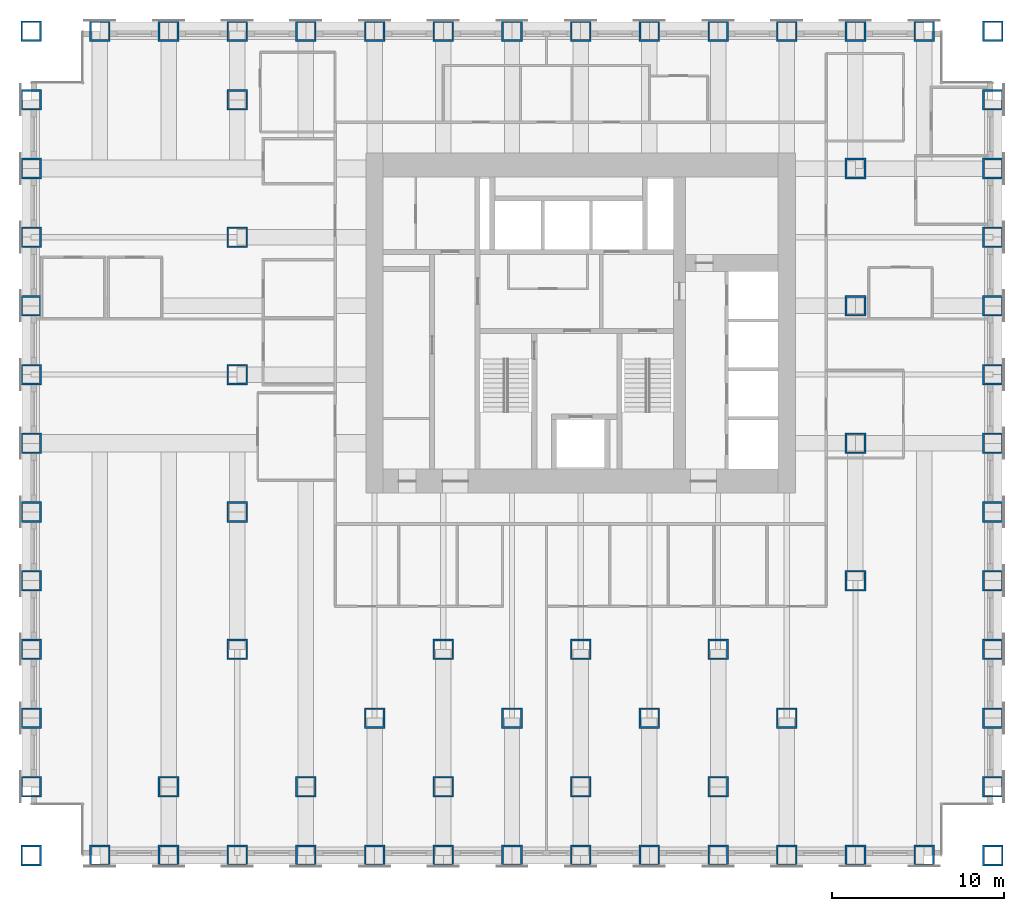
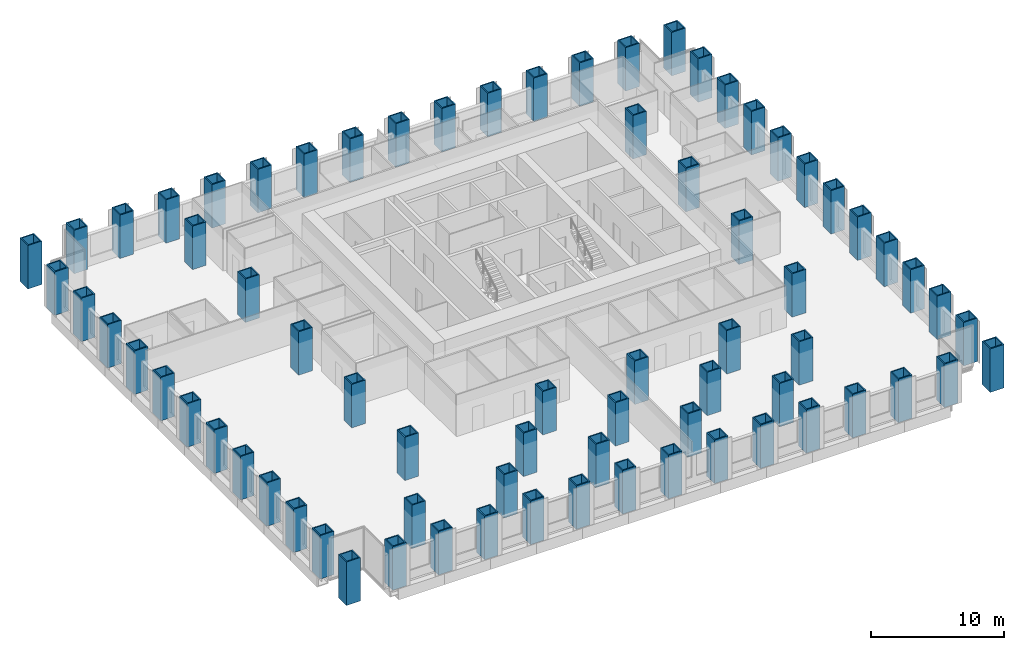
# One storey, part 1 of 15: 73 columns.
"""IFC4 building model written with IfcOpenShell, lengths in metres."""

from ifc_helpers import new_model, si_unit, direction, frame, origin, origin_2d, place, context, subcontext, project, spatial, hollow_rectangle, extrude, material, material_profile, profile_set, type_object, element, save


model = new_model("IFC4")

# Units and contexts
model_context = context("Model", 3, precision=1e-05, world=origin(), true_north=direction((0.0, 1.0)))
body_context = subcontext(model_context, "Body", "Model", "MODEL_VIEW")
ifc_project = project(units=[si_unit("LENGTHUNIT", "METRE"), si_unit("AREAUNIT", "SQUARE_METRE"), si_unit("VOLUMEUNIT", "CUBIC_METRE"), si_unit("PLANEANGLEUNIT", "RADIAN"), si_unit("MASSUNIT", "GRAM", prefix="KILO")], contexts=[model_context])

# Site, building, storey
site_placement = place(None, origin())
site = spatial("IfcSite", under=ifc_project, at=site_placement, CompositionType="ELEMENT")
building_placement = place(site_placement, origin())
building = spatial("IfcBuilding", under=site, at=building_placement, Name="Rimbunsela Tower", CompositionType="ELEMENT")
storey_placement = place(building_placement, frame((0.0, 0.0, 19.0)))
storey = spatial("IfcBuildingStorey", under=building, at=storey_placement, Name="L04", CompositionType="ELEMENT", Elevation=19.0)

# Columns
ifc_material = material(Name="Steel BJ 55 (fy 410 MPa)", Category="steel")
ifc_material_profile = material_profile(ifc_material, hollow_rectangle(XDim=1.199951171875, YDim=1.199951171875, WallThickness=0.10009765625, at=origin_2d()), Name="BOX 1200x1200x100")
ifc_profile_set = profile_set([ifc_material_profile], Name="Steel BJ 55 (fy 410 MPa)")
column_type = type_object("IfcColumnType", Name="Column BOX 1200x1200x100", PredefinedType="COLUMN", material=ifc_profile_set)
for number, where, z_axis, x_axis, name in (
    (1, (-2.0, -4.0, 0.0), (0.0, 0.0, 1.0), (1.0, 0.0, 0.0), "Column C7 2/A L04"),
    (2, (-2.0, 0.0, 0.0), (0.0, 0.0, 1.0), (1.0, 0.0, 0.0), "Column C7 2/B L04"),
    (3, (-2.0, 4.0, 0.0), (0.0, 0.0, 1.0), (1.0, 0.0, 0.0), "Column C7 2/C L04"),
    (4, (-2.0, 8.0, 0.0), (0.0, 0.0, 1.0), (1.0, 0.0, 0.0), "Column C7 2/D L04"),
    (5, (-2.0, 12.0, 0.0), (0.0, 0.0, 1.0), (1.0, 0.0, 0.0), "Column C7 2/E L04"),
    (6, (-2.0, 16.0, 0.0), (0.0, 0.0, 1.0), (1.0, 0.0, 0.0), "Column C7 2/F L04"),
    (7, (-2.0, 20.0, 0.0), (0.0, 0.0, 1.0), (1.0, 0.0, 0.0), "Column C7 2/G L04"),
    (8, (-2.0, 24.0, 0.0), (0.0, 0.0, 1.0), (1.0, 0.0, 0.0), "Column C7 2/H L04"),
    (9, (-2.0, 28.0, 0.0), (0.0, 0.0, 1.0), (1.0, 0.0, 0.0), "Column C7 2/J L04"),
    (10, (-2.0, 32.0, 0.0), (0.0, 0.0, 1.0), (1.0, 0.0, 0.0), "Column C7 2/K L04"),
    (11, (-2.0, 36.0, 0.0), (0.0, 0.0, 1.0), (1.0, 0.0, 0.0), "Column C7 2/L L04"),
    (12, (-2.0, 40.0, 0.0), (0.0, 0.0, 1.0), (1.0, 0.0, 0.0), "Column C7 2/M L04"),
    (13, (-2.0, 44.0, 0.0), (0.0, 0.0, 1.0), (1.0, 0.0, 0.0), "Column C7 2/N L04"),
    (14, (2.0, -4.0, 0.0), (0.0, 0.0, 1.0), (1.0, 0.0, 0.0), "Column C7 3/A L04"),
    (15, (2.0, 44.0, 0.0), (0.0, 0.0, 1.0), (1.0, 0.0, 0.0), "Column C7 3/N L04"),
    (16, (6.0, -4.0, 0.0), (0.0, 0.0, 1.0), (1.0, 0.0, 0.0), "Column C7 4/A L04"),
    (17, (6.0, 44.0, 0.0), (0.0, 0.0, 1.0), (1.0, 0.0, 0.0), "Column C7 4/N L04"),
    (18, (10.0, -4.0, 0.0), (0.0, 0.0, 1.0), (1.0, 0.0, 0.0), "Column C7 5/A L04"),
    (19, (10.0, 44.0, 0.0), (0.0, 0.0, 1.0), (1.0, 0.0, 0.0), "Column C7 5/N L04"),
    (20, (14.0, -4.0, 0.0), (0.0, 0.0, 1.0), (1.0, 0.0, 0.0), "Column C7 6/A L04"),
    (21, (14.0, 44.0, 0.0), (0.0, 0.0, 1.0), (1.0, 0.0, 0.0), "Column C7 6/N L04"),
    (22, (18.0, -4.0, 0.0), (0.0, 0.0, 1.0), (1.0, 0.0, 0.0), "Column C7 7/A L04"),
    (23, (18.0, 44.0, 0.0), (0.0, 0.0, 1.0), (1.0, 0.0, 0.0), "Column C7 7/N L04"),
    (24, (22.0, -4.0, 0.0), (0.0, 0.0, 1.0), (1.0, 0.0, 0.0), "Column C7 8/A L04"),
    (25, (22.0, 44.0, 0.0), (0.0, 0.0, 1.0), (1.0, 0.0, 0.0), "Column C7 8/N L04"),
    (26, (26.0, -4.0, 0.0), (0.0, 0.0, 1.0), (1.0, 0.0, 0.0), "Column C7 9/A L04"),
    (27, (26.0, 44.0, 0.0), (0.0, 0.0, 1.0), (1.0, 0.0, 0.0), "Column C7 9/N L04"),
    (28, (30.0, -4.0, 0.0), (0.0, 0.0, 1.0), (1.0, 0.0, 0.0), "Column C7 10/A L04"),
    (29, (30.0, 44.0, 0.0), (0.0, 0.0, 1.0), (1.0, 0.0, 0.0), "Column C7 10/N L04"),
    (30, (34.0, -4.0, 0.0), (0.0, 0.0, 1.0), (1.0, 0.0, 0.0), "Column C7 11/A L04"),
    (31, (34.0, 44.0, 0.0), (0.0, 0.0, 1.0), (1.0, 0.0, 0.0), "Column C7 11/N L04"),
    (32, (38.0, -4.0, 0.0), (0.0, 0.0, 1.0), (1.0, 0.0, 0.0), "Column C7 12/A L04"),
    (33, (38.0, 44.0, 0.0), (0.0, 0.0, 1.0), (1.0, 0.0, 0.0), "Column C7 12/N L04"),
    (34, (42.0, -4.0, 0.0), (0.0, 0.0, 1.0), (1.0, 0.0, 0.0), "Column C7 13/A L04"),
    (35, (42.0, 44.0, 0.0), (0.0, 0.0, 1.0), (1.0, 0.0, 0.0), "Column C7 13/N L04"),
    (36, (46.0, -4.0, 0.0), (0.0, 0.0, 1.0), (1.0, 0.0, 0.0), "Column C7 14/A L04"),
    (37, (46.0, 44.0, 0.0), (0.0, 0.0, 1.0), (1.0, 0.0, 0.0), "Column C7 14/N L04"),
    (38, (50.0, -4.0, 0.0), (0.0, 0.0, 1.0), (1.0, 0.0, 0.0), "Column C7 15/A L04"),
    (39, (50.0, 44.0, 0.0), (0.0, 0.0, 1.0), (1.0, 0.0, 0.0), "Column C7 15/N L04"),
    (40, (54.0, -4.0, 0.0), (0.0, 0.0, 1.0), (1.0, 0.0, 0.0), "Column C7 16/A L04"),
    (41, (54.0, 0.0, 0.0), (0.0, 0.0, 1.0), (1.0, 0.0, 0.0), "Column C7 16/B L04"),
    (42, (54.0, 4.0, 0.0), (0.0, 0.0, 1.0), (1.0, 0.0, 0.0), "Column C7 16/C L04"),
    (43, (54.0, 8.0, 0.0), (0.0, 0.0, 1.0), (1.0, 0.0, 0.0), "Column C7 16/D L04"),
    (44, (54.0, 12.0, 0.0), (0.0, 0.0, 1.0), (1.0, 0.0, 0.0), "Column C7 16/E L04"),
    (45, (54.0, 16.0, 0.0), (0.0, 0.0, 1.0), (1.0, 0.0, 0.0), "Column C7 16/F L04"),
    (46, (54.0, 20.0, 0.0), (0.0, 0.0, 1.0), (1.0, 0.0, 0.0), "Column C7 16/G L04"),
    (47, (54.0, 24.0, 0.0), (0.0, 0.0, 1.0), (1.0, 0.0, 0.0), "Column C7 16/H L04"),
    (48, (54.0, 28.0, 0.0), (0.0, 0.0, 1.0), (1.0, 0.0, 0.0), "Column C7 16/J L04"),
    (49, (54.0, 32.0, 0.0), (0.0, 0.0, 1.0), (1.0, 0.0, 0.0), "Column C7 16/K L04"),
    (50, (54.0, 36.0, 0.0), (0.0, 0.0, 1.0), (1.0, 0.0, 0.0), "Column C7 16/L L04"),
    (51, (54.0, 40.0, 0.0), (0.0, 0.0, 1.0), (1.0, 0.0, 0.0), "Column C7 16/M L04"),
    (52, (54.0, 44.0, 0.0), (0.0, 0.0, 1.0), (1.0, 0.0, 0.0), "Column C7 16/N L04"),
    (53, (6.0, 0.0, 0.0), (0.0, 0.0, 1.0), (1.0, 0.0, 0.0), "Column C7 4/B L04"),
    (54, (10.0, 8.0, 0.0), (0.0, 0.0, 1.0), (1.0, 0.0, 0.0), "Column C7 5/D L04"),
    (55, (10.0, 16.0, 0.0), (0.0, 0.0, 1.0), (1.0, 0.0, 0.0), "Column C7 5/F L04"),
    (56, (10.0, 24.0, 0.0), (0.0, 0.0, 1.0), (1.0, 0.0, 0.0), "Column C7 5/H L04"),
    (57, (10.0, 32.0, 0.0), (0.0, 0.0, 1.0), (1.0, 0.0, 0.0), "Column C7 5/K L04"),
    (58, (10.0, 40.0, 0.0), (0.0, 0.0, 1.0), (1.0, 0.0, 0.0), "Column C7 5/M L04"),
    (59, (14.0, 0.0, 0.0), (0.0, 0.0, 1.0), (1.0, 0.0, 0.0), "Column C7 6/B L04"),
    (60, (18.0, 4.0, 0.0), (0.0, 0.0, 1.0), (1.0, 0.0, 0.0), "Column C7 7/C L04"),
    (61, (22.0, 0.0, 0.0), (0.0, 0.0, 1.0), (1.0, 0.0, 0.0), "Column C7 8/B L04"),
    (62, (22.0, 8.0, 0.0), (0.0, 0.0, 1.0), (1.0, 0.0, 0.0), "Column C7 8/D L04"),
    (63, (26.0, 4.0, 0.0), (0.0, 0.0, 1.0), (1.0, 0.0, 0.0), "Column C7 9/C L04"),
    (64, (30.0, 0.0, 0.0), (0.0, 0.0, 1.0), (1.0, 0.0, 0.0), "Column C7 10/B L04"),
    (65, (30.0, 8.0, 0.0), (0.0, 0.0, 1.0), (1.0, 0.0, 0.0), "Column C7 10/D L04"),
    (66, (34.0, 4.0, 0.0), (0.0, 0.0, 1.0), (1.0, 0.0, 0.0), "Column C7 11/C L04"),
    (67, (38.0, 0.0, 0.0), (0.0, 0.0, 1.0), (1.0, 0.0, 0.0), "Column C7 12/B L04"),
    (68, (38.0, 8.0, 0.0), (0.0, 0.0, 1.0), (1.0, 0.0, 0.0), "Column C7 12/D L04"),
    (69, (42.0, 4.0, 0.0), (0.0, 0.0, 1.0), (1.0, 0.0, 0.0), "Column C7 13/C L04"),
    (70, (46.0, 12.0, 0.0), (0.0, 0.0, 1.0), (1.0, 0.0, 0.0), "Column C7 14/E L04"),
    (71, (46.0, 20.0, 0.0), (0.0, 0.0, 1.0), (1.0, 0.0, 0.0), "Column C7 14/G L04"),
    (72, (46.0, 28.0, 0.0), (0.0, 0.0, 1.0), (1.0, 0.0, 0.0), "Column C7 14/J L04"),
    (73, (46.0, 36.0, 0.0), (0.0, 0.0, 1.0), (1.0, 0.0, 0.0), "Column C7 14/L L04"),
):
    element("IfcColumn", number, at=place(storey_placement, frame(where, z_axis=z_axis, x_axis=x_axis)), inside=storey, type_object=column_type, Name=name, PredefinedType="COLUMN", context=body_context, shape_type="SweptSolid", body=[
        extrude(hollow_rectangle(XDim=1.199951171875, YDim=1.199951171875, WallThickness=0.10009765625, at=origin_2d()), origin(), (0.0, 0.0, 1.0), 4.0),
    ])

save(model, "model.ifc")
